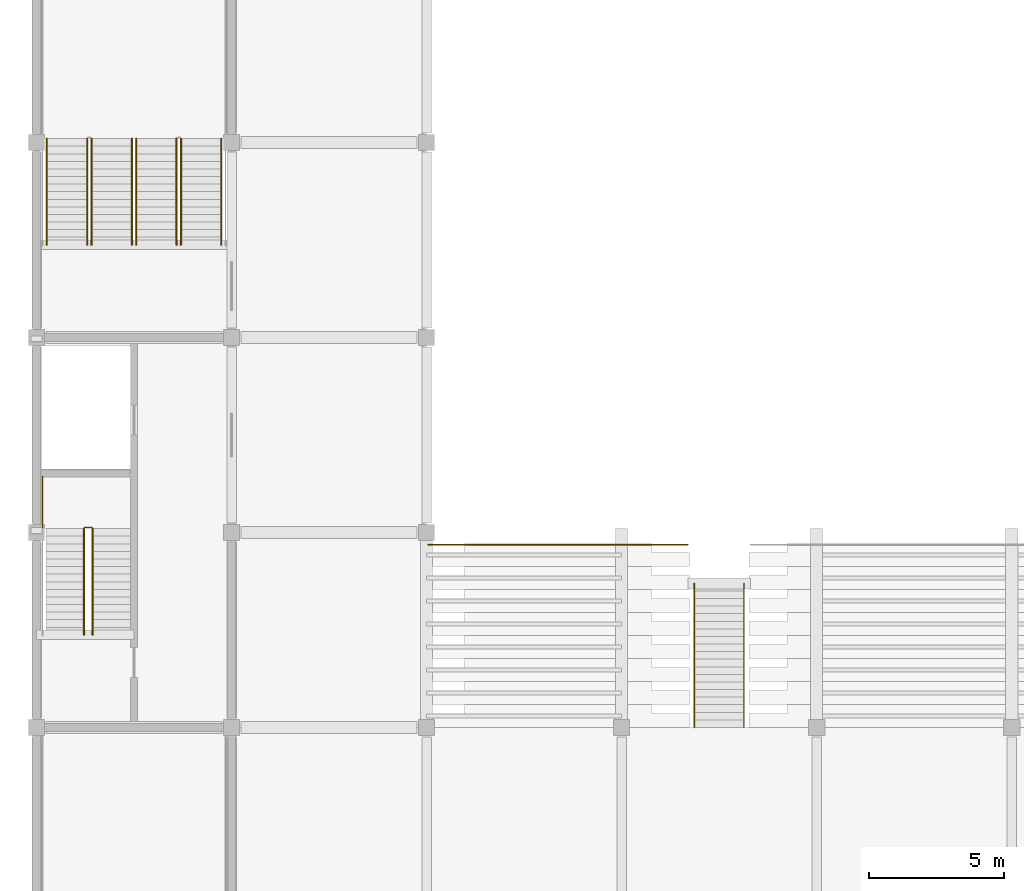
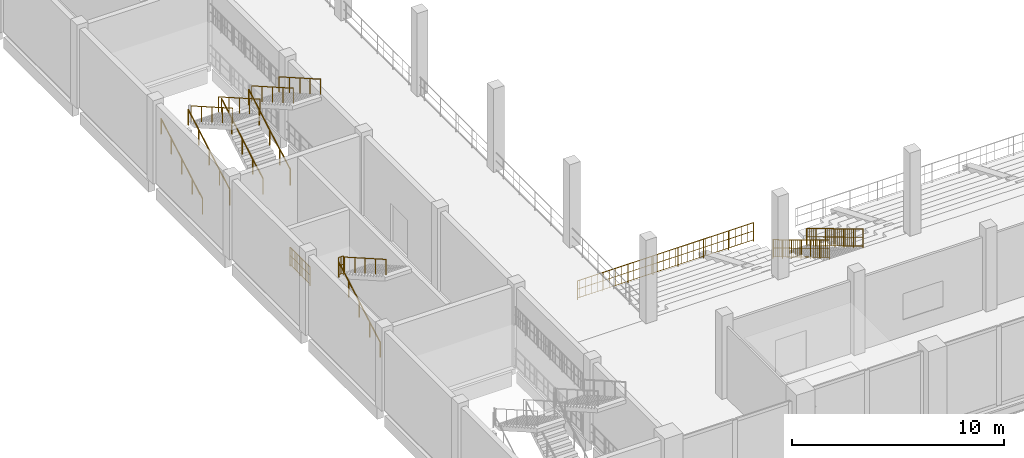
# One storey, part 81 of 99: 15 railings.
"""IFC4 building model written with IfcOpenShell, lengths in metres."""

from ifc_helpers import new_model, si_unit, direction, frame, origin, origin_2d, place, context, subcontext, project, spatial, circle, extrude, material, type_object, element, save


model = new_model("IFC4")

# Units and contexts
model_context = context("Model", 3, precision=1e-05, world=origin(), true_north=direction((0.0, 1.0)))
body_context = subcontext(model_context, "Body", "Model", "MODEL_VIEW")
ifc_project = project(units=[si_unit("LENGTHUNIT", "METRE"), si_unit("AREAUNIT", "SQUARE_METRE"), si_unit("VOLUMEUNIT", "CUBIC_METRE"), si_unit("PLANEANGLEUNIT", "RADIAN"), si_unit("MASSUNIT", "GRAM", prefix="KILO")], contexts=[model_context])

# Site, building, storey
site_placement = place(None, origin())
site = spatial("IfcSite", under=ifc_project, at=site_placement, CompositionType="ELEMENT")
building_placement = place(site_placement, origin())
building = spatial("IfcBuilding", under=site, at=building_placement, Name="Vesperath Aquatics Centre", CompositionType="ELEMENT")
storey_placement = place(building_placement, frame((0.0, 0.0, 5.39990234375)))
storey = spatial("IfcBuildingStorey", under=building, at=storey_placement, Name="L01", CompositionType="ELEMENT", Elevation=5.39990234375)

# Railings
ifc_material_1 = material(Name="Powder-coated galvanized steel safety guard", Category="steel")
railing_type_1 = type_object("IfcRailingType", Name="RL-GRD01", PredefinedType="GUARDRAIL", material=ifc_material_1)
railing_1_placement = place(storey_placement, frame((1.780029296875, 36.179931640625, 2.400146484375)))
element("IfcRailing", 1, at=railing_1_placement, inside=storey, type_object=railing_type_1, Name="Stair ST1 Half-Landing Slot Guard GR02 L01", PredefinedType="GUARDRAIL", context=body_context, shape_type="SweptSolid", body=[
    extrude(circle(Radius=0.02392578125, at=origin_2d()), frame((0.0, 0.0, 1.0859375), z_axis=(1.0, 0.0, 0.0), x_axis=(0.0, 1.0, 0.0)), (0.0, 0.0, 1.0), 0.260009765625),
    extrude(circle(Radius=0.01611328125, at=origin_2d()), frame((0.0, 0.0, 0.10009765625), z_axis=(1.0, 0.0, 0.0), x_axis=(0.0, 1.0, 0.0)), (0.0, 0.0, 1.0), 0.260009765625),
    extrude(circle(Radius=0.01611328125, at=origin_2d()), frame((0.0, 0.0, 0.610595703125), z_axis=(1.0, 0.0, 0.0), x_axis=(0.0, 1.0, 0.0)), (0.0, 0.0, 1.0), 0.260009765625),
    extrude(circle(Radius=0.009033203125, at=origin_2d()), frame((0.086669921875, 0.0, 0.10009765625)), (0.0, 0.0, 1.0), 0.9619140625),
    extrude(circle(Radius=0.009033203125, at=origin_2d()), frame((0.17333984375, 0.0, 0.10009765625)), (0.0, 0.0, 1.0), 0.9619140625),
    extrude(circle(Radius=0.02197265625, at=origin_2d()), origin(), (0.0, 0.0, 1.0), 1.0859375),
    extrude(circle(Radius=0.02197265625, at=origin_2d()), frame((0.260009765625, 0.0, 0.0)), (0.0, 0.0, 1.0), 1.0859375),
])
railing_2_placement = place(storey_placement, frame((0.219970703125, 36.179931640625, 2.400146484375)))
element("IfcRailing", 2, at=railing_2_placement, inside=storey, type_object=railing_type_1, Name="Stair ST1 Half-Landing Wall Guard GR02 L01", PredefinedType="GUARDRAIL", context=body_context, shape_type="SweptSolid", body=[
    extrude(circle(Radius=0.02392578125, at=origin_2d()), frame((0.0, 0.0, 1.0859375), z_axis=(0.0, 1.0, 0.0), x_axis=(-1.0, 0.0, 0.0)), (0.0, 0.0, 1.0), 1.880126953125),
    extrude(circle(Radius=0.01611328125, at=origin_2d()), frame((0.0, 0.0, 0.10009765625), z_axis=(0.0, 1.0, 0.0), x_axis=(-1.0, 0.0, 0.0)), (0.0, 0.0, 1.0), 1.880126953125),
    extrude(circle(Radius=0.01611328125, at=origin_2d()), frame((0.0, 0.0, 0.610595703125), z_axis=(0.0, 1.0, 0.0), x_axis=(-1.0, 0.0, 0.0)), (0.0, 0.0, 1.0), 1.880126953125),
    extrude(circle(Radius=0.009033203125, at=origin_2d()), frame((0.0, 0.1044921875, 0.10009765625)), (0.0, 0.0, 1.0), 0.9619140625),
    extrude(circle(Radius=0.009033203125, at=origin_2d()), frame((0.0, 0.208984375, 0.10009765625)), (0.0, 0.0, 1.0), 0.9619140625),
    extrude(circle(Radius=0.009033203125, at=origin_2d()), frame((0.0, 0.3134765625, 0.10009765625)), (0.0, 0.0, 1.0), 0.9619140625),
    extrude(circle(Radius=0.009033203125, at=origin_2d()), frame((0.0, 0.417724609375, 0.10009765625)), (0.0, 0.0, 1.0), 0.9619140625),
    extrude(circle(Radius=0.009033203125, at=origin_2d()), frame((0.0, 0.522216796875, 0.10009765625)), (0.0, 0.0, 1.0), 0.9619140625),
    extrude(circle(Radius=0.009033203125, at=origin_2d()), frame((0.0, 0.626708984375, 0.10009765625)), (0.0, 0.0, 1.0), 0.9619140625),
    extrude(circle(Radius=0.009033203125, at=origin_2d()), frame((0.0, 0.731201171875, 0.10009765625)), (0.0, 0.0, 1.0), 0.9619140625),
    extrude(circle(Radius=0.009033203125, at=origin_2d()), frame((0.0, 0.835693359375, 0.10009765625)), (0.0, 0.0, 1.0), 0.9619140625),
    extrude(circle(Radius=0.009033203125, at=origin_2d()), frame((0.0, 0.93994140625, 0.10009765625)), (0.0, 0.0, 1.0), 0.9619140625),
    extrude(circle(Radius=0.009033203125, at=origin_2d()), frame((0.0, 1.04443359375, 0.10009765625)), (0.0, 0.0, 1.0), 0.9619140625),
    extrude(circle(Radius=0.009033203125, at=origin_2d()), frame((0.0, 1.14892578125, 0.10009765625)), (0.0, 0.0, 1.0), 0.9619140625),
    extrude(circle(Radius=0.009033203125, at=origin_2d()), frame((0.0, 1.25341796875, 0.10009765625)), (0.0, 0.0, 1.0), 0.9619140625),
    extrude(circle(Radius=0.009033203125, at=origin_2d()), frame((0.0, 1.35791015625, 0.10009765625)), (0.0, 0.0, 1.0), 0.9619140625),
    extrude(circle(Radius=0.009033203125, at=origin_2d()), frame((0.0, 1.46240234375, 0.10009765625)), (0.0, 0.0, 1.0), 0.9619140625),
    extrude(circle(Radius=0.009033203125, at=origin_2d()), frame((0.0, 1.56689453125, 0.10009765625)), (0.0, 0.0, 1.0), 0.9619140625),
    extrude(circle(Radius=0.009033203125, at=origin_2d()), frame((0.0, 1.671142578125, 0.10009765625)), (0.0, 0.0, 1.0), 0.9619140625),
    extrude(circle(Radius=0.009033203125, at=origin_2d()), frame((0.0, 1.775634765625, 0.10009765625)), (0.0, 0.0, 1.0), 0.9619140625),
    extrude(circle(Radius=0.02197265625, at=origin_2d()), origin(), (0.0, 0.0, 1.0), 1.0859375),
    extrude(circle(Radius=0.02197265625, at=origin_2d()), frame((0.0, 0.93994140625, 0.0)), (0.0, 0.0, 1.0), 1.0859375),
    extrude(circle(Radius=0.02197265625, at=origin_2d()), frame((0.0, 1.880126953125, 0.0)), (0.0, 0.0, 1.0), 1.0859375),
])
railing_3_placement = place(storey_placement, frame((24.280029296875, 34.1201171875, -3.199951171875)))
element("IfcRailing", 3, at=railing_3_placement, inside=storey, type_object=railing_type_1, Name="Vomitory VOM-01 Guardrail GR02-W", PredefinedType="GUARDRAIL", context=body_context, shape_type="SweptSolid", body=[
    extrude(circle(Radius=0.02392578125, at=origin_2d()), frame((0.0, 0.0, 1.0859375), z_axis=(0.0, -0.85693029826, 0.515432307801), x_axis=(1.0, 0.0, 0.0)), (0.0, 0.0, 1.0), 6.208251953125),
    extrude(circle(Radius=0.01611328125, at=origin_2d()), frame((0.0, 0.0, 0.10009765625), z_axis=(0.0, -0.85693029826, 0.515432307801), x_axis=(1.0, 0.0, 0.0)), (0.0, 0.0, 1.0), 6.208251953125),
    extrude(circle(Radius=0.01611328125, at=origin_2d()), frame((0.0, 0.0, 0.610595703125), z_axis=(0.0, -0.85693029826, 0.515432307801), x_axis=(1.0, 0.0, 0.0)), (0.0, 0.0, 1.0), 6.208251953125),
    extrude(circle(Radius=0.009033203125, at=origin_2d()), frame((0.0, -0.09326171875, 0.15625)), (0.0, 0.0, 1.0), 0.9619140625),
    extrude(circle(Radius=0.009033203125, at=origin_2d()), frame((0.0, -0.280029296875, 0.2685546875)), (0.0, 0.0, 1.0), 0.9619140625),
    extrude(circle(Radius=0.009033203125, at=origin_2d()), frame((0.0, -0.466552734375, 0.380859375)), (0.0, 0.0, 1.0), 0.9619140625),
    extrude(circle(Radius=0.009033203125, at=origin_2d()), frame((0.0, -0.6533203125, 0.4931640625)), (0.0, 0.0, 1.0), 0.9619140625),
    extrude(circle(Radius=0.009033203125, at=origin_2d()), frame((0.0, -0.840087890625, 0.60546875)), (0.0, 0.0, 1.0), 0.9619140625),
    extrude(circle(Radius=0.009033203125, at=origin_2d()), frame((0.0, -1.026611328125, 0.717529296875)), (0.0, 0.0, 1.0), 0.9619140625),
    extrude(circle(Radius=0.009033203125, at=origin_2d()), frame((0.0, -1.21337890625, 0.829833984375)), (0.0, 0.0, 1.0), 0.9619140625),
    extrude(circle(Radius=0.009033203125, at=origin_2d()), frame((0.0, -1.39990234375, 0.942138671875)), (0.0, 0.0, 1.0), 0.9619140625),
    extrude(circle(Radius=0.009033203125, at=origin_2d()), frame((0.0, -1.586669921875, 1.054443359375)), (0.0, 0.0, 1.0), 0.9619140625),
    extrude(circle(Radius=0.009033203125, at=origin_2d()), frame((0.0, -1.7734375, 1.166748046875)), (0.0, 0.0, 1.0), 0.9619140625),
    extrude(circle(Radius=0.009033203125, at=origin_2d()), frame((0.0, -1.9599609375, 1.279052734375)), (0.0, 0.0, 1.0), 0.9619140625),
    extrude(circle(Radius=0.009033203125, at=origin_2d()), frame((0.0, -2.146728515625, 1.391357421875)), (0.0, 0.0, 1.0), 0.9619140625),
    extrude(circle(Radius=0.009033203125, at=origin_2d()), frame((0.0, -2.333251953125, 1.503662109375)), (0.0, 0.0, 1.0), 0.9619140625),
    extrude(circle(Radius=0.009033203125, at=origin_2d()), frame((0.0, -2.52001953125, 1.615966796875)), (0.0, 0.0, 1.0), 0.9619140625),
    extrude(circle(Radius=0.009033203125, at=origin_2d()), frame((0.0, -2.706787109375, 1.72802734375)), (0.0, 0.0, 1.0), 0.9619140625),
    extrude(circle(Radius=0.009033203125, at=origin_2d()), frame((0.0, -2.893310546875, 1.84033203125)), (0.0, 0.0, 1.0), 0.9619140625),
    extrude(circle(Radius=0.009033203125, at=origin_2d()), frame((0.0, -3.080078125, 1.95263671875)), (0.0, 0.0, 1.0), 0.9619140625),
    extrude(circle(Radius=0.009033203125, at=origin_2d()), frame((0.0, -3.2666015625, 2.06494140625)), (0.0, 0.0, 1.0), 0.9619140625),
    extrude(circle(Radius=0.009033203125, at=origin_2d()), frame((0.0, -3.453369140625, 2.17724609375)), (0.0, 0.0, 1.0), 0.9619140625),
    extrude(circle(Radius=0.009033203125, at=origin_2d()), frame((0.0, -3.64013671875, 2.28955078125)), (0.0, 0.0, 1.0), 0.9619140625),
    extrude(circle(Radius=0.009033203125, at=origin_2d()), frame((0.0, -3.82666015625, 2.40185546875)), (0.0, 0.0, 1.0), 0.9619140625),
    extrude(circle(Radius=0.009033203125, at=origin_2d()), frame((0.0, -4.013427734375, 2.51416015625)), (0.0, 0.0, 1.0), 0.9619140625),
    extrude(circle(Radius=0.009033203125, at=origin_2d()), frame((0.0, -4.199951171875, 2.62646484375)), (0.0, 0.0, 1.0), 0.9619140625),
    extrude(circle(Radius=0.009033203125, at=origin_2d()), frame((0.0, -4.38671875, 2.73876953125)), (0.0, 0.0, 1.0), 0.9619140625),
    extrude(circle(Radius=0.009033203125, at=origin_2d()), frame((0.0, -4.573486328125, 2.850830078125)), (0.0, 0.0, 1.0), 0.9619140625),
    extrude(circle(Radius=0.009033203125, at=origin_2d()), frame((0.0, -4.760009765625, 2.963134765625)), (0.0, 0.0, 1.0), 0.9619140625),
    extrude(circle(Radius=0.009033203125, at=origin_2d()), frame((0.0, -4.94677734375, 3.075439453125)), (0.0, 0.0, 1.0), 0.9619140625),
    extrude(circle(Radius=0.009033203125, at=origin_2d()), frame((0.0, -5.13330078125, 3.187744140625)), (0.0, 0.0, 1.0), 0.9619140625),
    extrude(circle(Radius=0.02197265625, at=origin_2d()), origin(), (0.0, 0.0, 1.0), 1.0859375),
    extrude(circle(Radius=0.02197265625, at=origin_2d()), frame((0.0, -0.88671875, 0.533203125)), (0.0, 0.0, 1.0), 1.0859375),
    extrude(circle(Radius=0.02197265625, at=origin_2d()), frame((0.0, -1.7734375, 1.066650390625)), (0.0, 0.0, 1.0), 1.0859375),
    extrude(circle(Radius=0.02197265625, at=origin_2d()), frame((0.0, -2.66015625, 1.60009765625)), (0.0, 0.0, 1.0), 1.0859375),
    extrude(circle(Radius=0.02197265625, at=origin_2d()), frame((0.0, -3.546630859375, 2.13330078125)), (0.0, 0.0, 1.0), 1.0859375),
    extrude(circle(Radius=0.02197265625, at=origin_2d()), frame((0.0, -4.433349609375, 2.66650390625)), (0.0, 0.0, 1.0), 1.0859375),
    extrude(circle(Radius=0.02197265625, at=origin_2d()), frame((0.0, -5.320068359375, 3.199951171875)), (0.0, 0.0, 1.0), 1.0859375),
])
railing_4_placement = place(storey_placement, frame((26.1201171875, 34.1201171875, -3.199951171875)))
element("IfcRailing", 4, at=railing_4_placement, inside=storey, type_object=railing_type_1, Name="Vomitory VOM-01 Guardrail GR02-E", PredefinedType="GUARDRAIL", context=body_context, shape_type="SweptSolid", body=[
    extrude(circle(Radius=0.02392578125, at=origin_2d()), frame((0.0, 0.0, 1.0859375), z_axis=(0.0, -0.85693029826, 0.515432307801), x_axis=(1.0, 0.0, 0.0)), (0.0, 0.0, 1.0), 6.208251953125),
    extrude(circle(Radius=0.01611328125, at=origin_2d()), frame((0.0, 0.0, 0.10009765625), z_axis=(0.0, -0.85693029826, 0.515432307801), x_axis=(1.0, 0.0, 0.0)), (0.0, 0.0, 1.0), 6.208251953125),
    extrude(circle(Radius=0.01611328125, at=origin_2d()), frame((0.0, 0.0, 0.610595703125), z_axis=(0.0, -0.85693029826, 0.515432307801), x_axis=(1.0, 0.0, 0.0)), (0.0, 0.0, 1.0), 6.208251953125),
    extrude(circle(Radius=0.009033203125, at=origin_2d()), frame((0.0, -0.09326171875, 0.15625)), (0.0, 0.0, 1.0), 0.9619140625),
    extrude(circle(Radius=0.009033203125, at=origin_2d()), frame((0.0, -0.280029296875, 0.2685546875)), (0.0, 0.0, 1.0), 0.9619140625),
    extrude(circle(Radius=0.009033203125, at=origin_2d()), frame((0.0, -0.466552734375, 0.380859375)), (0.0, 0.0, 1.0), 0.9619140625),
    extrude(circle(Radius=0.009033203125, at=origin_2d()), frame((0.0, -0.6533203125, 0.4931640625)), (0.0, 0.0, 1.0), 0.9619140625),
    extrude(circle(Radius=0.009033203125, at=origin_2d()), frame((0.0, -0.840087890625, 0.60546875)), (0.0, 0.0, 1.0), 0.9619140625),
    extrude(circle(Radius=0.009033203125, at=origin_2d()), frame((0.0, -1.026611328125, 0.717529296875)), (0.0, 0.0, 1.0), 0.9619140625),
    extrude(circle(Radius=0.009033203125, at=origin_2d()), frame((0.0, -1.21337890625, 0.829833984375)), (0.0, 0.0, 1.0), 0.9619140625),
    extrude(circle(Radius=0.009033203125, at=origin_2d()), frame((0.0, -1.39990234375, 0.942138671875)), (0.0, 0.0, 1.0), 0.9619140625),
    extrude(circle(Radius=0.009033203125, at=origin_2d()), frame((0.0, -1.586669921875, 1.054443359375)), (0.0, 0.0, 1.0), 0.9619140625),
    extrude(circle(Radius=0.009033203125, at=origin_2d()), frame((0.0, -1.7734375, 1.166748046875)), (0.0, 0.0, 1.0), 0.9619140625),
    extrude(circle(Radius=0.009033203125, at=origin_2d()), frame((0.0, -1.9599609375, 1.279052734375)), (0.0, 0.0, 1.0), 0.9619140625),
    extrude(circle(Radius=0.009033203125, at=origin_2d()), frame((0.0, -2.146728515625, 1.391357421875)), (0.0, 0.0, 1.0), 0.9619140625),
    extrude(circle(Radius=0.009033203125, at=origin_2d()), frame((0.0, -2.333251953125, 1.503662109375)), (0.0, 0.0, 1.0), 0.9619140625),
    extrude(circle(Radius=0.009033203125, at=origin_2d()), frame((0.0, -2.52001953125, 1.615966796875)), (0.0, 0.0, 1.0), 0.9619140625),
    extrude(circle(Radius=0.009033203125, at=origin_2d()), frame((0.0, -2.706787109375, 1.72802734375)), (0.0, 0.0, 1.0), 0.9619140625),
    extrude(circle(Radius=0.009033203125, at=origin_2d()), frame((0.0, -2.893310546875, 1.84033203125)), (0.0, 0.0, 1.0), 0.9619140625),
    extrude(circle(Radius=0.009033203125, at=origin_2d()), frame((0.0, -3.080078125, 1.95263671875)), (0.0, 0.0, 1.0), 0.9619140625),
    extrude(circle(Radius=0.009033203125, at=origin_2d()), frame((0.0, -3.2666015625, 2.06494140625)), (0.0, 0.0, 1.0), 0.9619140625),
    extrude(circle(Radius=0.009033203125, at=origin_2d()), frame((0.0, -3.453369140625, 2.17724609375)), (0.0, 0.0, 1.0), 0.9619140625),
    extrude(circle(Radius=0.009033203125, at=origin_2d()), frame((0.0, -3.64013671875, 2.28955078125)), (0.0, 0.0, 1.0), 0.9619140625),
    extrude(circle(Radius=0.009033203125, at=origin_2d()), frame((0.0, -3.82666015625, 2.40185546875)), (0.0, 0.0, 1.0), 0.9619140625),
    extrude(circle(Radius=0.009033203125, at=origin_2d()), frame((0.0, -4.013427734375, 2.51416015625)), (0.0, 0.0, 1.0), 0.9619140625),
    extrude(circle(Radius=0.009033203125, at=origin_2d()), frame((0.0, -4.199951171875, 2.62646484375)), (0.0, 0.0, 1.0), 0.9619140625),
    extrude(circle(Radius=0.009033203125, at=origin_2d()), frame((0.0, -4.38671875, 2.73876953125)), (0.0, 0.0, 1.0), 0.9619140625),
    extrude(circle(Radius=0.009033203125, at=origin_2d()), frame((0.0, -4.573486328125, 2.850830078125)), (0.0, 0.0, 1.0), 0.9619140625),
    extrude(circle(Radius=0.009033203125, at=origin_2d()), frame((0.0, -4.760009765625, 2.963134765625)), (0.0, 0.0, 1.0), 0.9619140625),
    extrude(circle(Radius=0.009033203125, at=origin_2d()), frame((0.0, -4.94677734375, 3.075439453125)), (0.0, 0.0, 1.0), 0.9619140625),
    extrude(circle(Radius=0.009033203125, at=origin_2d()), frame((0.0, -5.13330078125, 3.187744140625)), (0.0, 0.0, 1.0), 0.9619140625),
    extrude(circle(Radius=0.02197265625, at=origin_2d()), origin(), (0.0, 0.0, 1.0), 1.0859375),
    extrude(circle(Radius=0.02197265625, at=origin_2d()), frame((0.0, -0.88671875, 0.533203125)), (0.0, 0.0, 1.0), 1.0859375),
    extrude(circle(Radius=0.02197265625, at=origin_2d()), frame((0.0, -1.7734375, 1.066650390625)), (0.0, 0.0, 1.0), 1.0859375),
    extrude(circle(Radius=0.02197265625, at=origin_2d()), frame((0.0, -2.66015625, 1.60009765625)), (0.0, 0.0, 1.0), 1.0859375),
    extrude(circle(Radius=0.02197265625, at=origin_2d()), frame((0.0, -3.546630859375, 2.13330078125)), (0.0, 0.0, 1.0), 1.0859375),
    extrude(circle(Radius=0.02197265625, at=origin_2d()), frame((0.0, -4.433349609375, 2.66650390625)), (0.0, 0.0, 1.0), 1.0859375),
    extrude(circle(Radius=0.02197265625, at=origin_2d()), frame((0.0, -5.320068359375, 3.199951171875)), (0.0, 0.0, 1.0), 1.0859375),
])
railing_5_placement = place(storey_placement, frame((14.449951171875, 35.550048828125, -3.0)))
element("IfcRailing", 5, at=railing_5_placement, inside=storey, type_object=railing_type_1, Name="Safety Guardrail GR02 GRD_L01_BOWL_S1", PredefinedType="GUARDRAIL", context=body_context, shape_type="SweptSolid", body=[
    extrude(circle(Radius=0.02392578125, at=origin_2d()), frame((0.0, 0.0, 1.0859375), z_axis=(1.0, 0.0, 0.0), x_axis=(0.0, 1.0, 0.0)), (0.0, 0.0, 1.0), 9.60009765625),
    extrude(circle(Radius=0.01611328125, at=origin_2d()), frame((0.0, 0.0, 0.10009765625), z_axis=(1.0, 0.0, 0.0), x_axis=(0.0, 1.0, 0.0)), (0.0, 0.0, 1.0), 9.60009765625),
    extrude(circle(Radius=0.01611328125, at=origin_2d()), frame((0.0, 0.0, 0.610595703125), z_axis=(1.0, 0.0, 0.0), x_axis=(0.0, 1.0, 0.0)), (0.0, 0.0, 1.0), 9.60009765625),
    extrude(circle(Radius=0.009033203125, at=origin_2d()), frame((0.109130859375, 0.0, 0.10009765625)), (0.0, 0.0, 1.0), 0.9619140625),
    extrude(circle(Radius=0.009033203125, at=origin_2d()), frame((0.436279296875, 0.0, 0.10009765625)), (0.0, 0.0, 1.0), 0.9619140625),
    extrude(circle(Radius=0.009033203125, at=origin_2d()), frame((0.763671875, 0.0, 0.10009765625)), (0.0, 0.0, 1.0), 0.9619140625),
    extrude(circle(Radius=0.009033203125, at=origin_2d()), frame((1.0908203125, 0.0, 0.10009765625)), (0.0, 0.0, 1.0), 0.9619140625),
    extrude(circle(Radius=0.009033203125, at=origin_2d()), frame((1.418212890625, 0.0, 0.10009765625)), (0.0, 0.0, 1.0), 0.9619140625),
    extrude(circle(Radius=0.009033203125, at=origin_2d()), frame((1.745361328125, 0.0, 0.10009765625)), (0.0, 0.0, 1.0), 0.9619140625),
    extrude(circle(Radius=0.009033203125, at=origin_2d()), frame((2.07275390625, 0.0, 0.10009765625)), (0.0, 0.0, 1.0), 0.9619140625),
    extrude(circle(Radius=0.009033203125, at=origin_2d()), frame((2.39990234375, 0.0, 0.10009765625)), (0.0, 0.0, 1.0), 0.9619140625),
    extrude(circle(Radius=0.009033203125, at=origin_2d()), frame((2.727294921875, 0.0, 0.10009765625)), (0.0, 0.0, 1.0), 0.9619140625),
    extrude(circle(Radius=0.009033203125, at=origin_2d()), frame((3.0546875, 0.0, 0.10009765625)), (0.0, 0.0, 1.0), 0.9619140625),
    extrude(circle(Radius=0.009033203125, at=origin_2d()), frame((3.3818359375, 0.0, 0.10009765625)), (0.0, 0.0, 1.0), 0.9619140625),
    extrude(circle(Radius=0.009033203125, at=origin_2d()), frame((3.709228515625, 0.0, 0.10009765625)), (0.0, 0.0, 1.0), 0.9619140625),
    extrude(circle(Radius=0.009033203125, at=origin_2d()), frame((4.036376953125, 0.0, 0.10009765625)), (0.0, 0.0, 1.0), 0.9619140625),
    extrude(circle(Radius=0.009033203125, at=origin_2d()), frame((4.36376953125, 0.0, 0.10009765625)), (0.0, 0.0, 1.0), 0.9619140625),
    extrude(circle(Radius=0.009033203125, at=origin_2d()), frame((4.69091796875, 0.0, 0.10009765625)), (0.0, 0.0, 1.0), 0.9619140625),
    extrude(circle(Radius=0.009033203125, at=origin_2d()), frame((5.018310546875, 0.0, 0.10009765625)), (0.0, 0.0, 1.0), 0.9619140625),
    extrude(circle(Radius=0.009033203125, at=origin_2d()), frame((5.345458984375, 0.0, 0.10009765625)), (0.0, 0.0, 1.0), 0.9619140625),
    extrude(circle(Radius=0.009033203125, at=origin_2d()), frame((5.6728515625, 0.0, 0.10009765625)), (0.0, 0.0, 1.0), 0.9619140625),
    extrude(circle(Radius=0.009033203125, at=origin_2d()), frame((6.0, 0.0, 0.10009765625)), (0.0, 0.0, 1.0), 0.9619140625),
    extrude(circle(Radius=0.009033203125, at=origin_2d()), frame((6.327392578125, 0.0, 0.10009765625)), (0.0, 0.0, 1.0), 0.9619140625),
    extrude(circle(Radius=0.009033203125, at=origin_2d()), frame((6.654541015625, 0.0, 0.10009765625)), (0.0, 0.0, 1.0), 0.9619140625),
    extrude(circle(Radius=0.009033203125, at=origin_2d()), frame((6.98193359375, 0.0, 0.10009765625)), (0.0, 0.0, 1.0), 0.9619140625),
    extrude(circle(Radius=0.009033203125, at=origin_2d()), frame((7.30908203125, 0.0, 0.10009765625)), (0.0, 0.0, 1.0), 0.9619140625),
    extrude(circle(Radius=0.009033203125, at=origin_2d()), frame((7.636474609375, 0.0, 0.10009765625)), (0.0, 0.0, 1.0), 0.9619140625),
    extrude(circle(Radius=0.009033203125, at=origin_2d()), frame((7.963623046875, 0.0, 0.10009765625)), (0.0, 0.0, 1.0), 0.9619140625),
    extrude(circle(Radius=0.009033203125, at=origin_2d()), frame((8.291015625, 0.0, 0.10009765625)), (0.0, 0.0, 1.0), 0.9619140625),
    extrude(circle(Radius=0.009033203125, at=origin_2d()), frame((8.6181640625, 0.0, 0.10009765625)), (0.0, 0.0, 1.0), 0.9619140625),
    extrude(circle(Radius=0.009033203125, at=origin_2d()), frame((8.945556640625, 0.0, 0.10009765625)), (0.0, 0.0, 1.0), 0.9619140625),
    extrude(circle(Radius=0.009033203125, at=origin_2d()), frame((9.272705078125, 0.0, 0.10009765625)), (0.0, 0.0, 1.0), 0.9619140625),
    extrude(circle(Radius=0.02197265625, at=origin_2d()), origin(), (0.0, 0.0, 1.0), 1.0859375),
    extrude(circle(Radius=0.02197265625, at=origin_2d()), frame((1.371337890625, 0.0, 0.0)), (0.0, 0.0, 1.0), 1.0859375),
    extrude(circle(Radius=0.02197265625, at=origin_2d()), frame((2.742919921875, 0.0, 0.0)), (0.0, 0.0, 1.0), 1.0859375),
    extrude(circle(Radius=0.02197265625, at=origin_2d()), frame((4.1142578125, 0.0, 0.0)), (0.0, 0.0, 1.0), 1.0859375),
    extrude(circle(Radius=0.02197265625, at=origin_2d()), frame((5.48583984375, 0.0, 0.0)), (0.0, 0.0, 1.0), 1.0859375),
    extrude(circle(Radius=0.02197265625, at=origin_2d()), frame((6.857177734375, 0.0, 0.0)), (0.0, 0.0, 1.0), 1.0859375),
    extrude(circle(Radius=0.02197265625, at=origin_2d()), frame((8.228759765625, 0.0, 0.0)), (0.0, 0.0, 1.0), 1.0859375),
    extrude(circle(Radius=0.02197265625, at=origin_2d()), frame((9.60009765625, 0.0, 0.0)), (0.0, 0.0, 1.0), 1.0859375),
])
ifc_material_2 = material(Name="Brushed stainless steel tubular handrail", Category="steel")
railing_type_2 = type_object("IfcRailingType", Name="RL-HND01", PredefinedType="HANDRAIL", material=ifc_material_2)
railing_6_placement = place(storey_placement, frame((1.75, 32.219970703125, 0.16015625)))
element("IfcRailing", 6, at=railing_6_placement, inside=storey, type_object=railing_type_2, Name="Stair ST1 Flight 1 Handrail HR01 L01", PredefinedType="HANDRAIL", context=body_context, shape_type="SweptSolid", body=[
    extrude(circle(Radius=0.02392578125, at=origin_2d()), frame((0.0, 0.0, 0.8759765625), z_axis=(0.0, 0.868239814368, 0.496144761885), x_axis=(-1.0, 0.0, 0.0)), (0.0, 0.0, 1.0), 4.514892578125),
    extrude(circle(Radius=0.02197265625, at=origin_2d()), origin(), (0.0, 0.0, 1.0), 0.8759765625),
    extrude(circle(Radius=0.02197265625, at=origin_2d()), frame((0.0, 0.97998046875, 0.56005859375)), (0.0, 0.0, 1.0), 0.8759765625),
    extrude(circle(Radius=0.02197265625, at=origin_2d()), frame((0.0, 1.9599609375, 1.1201171875)), (0.0, 0.0, 1.0), 0.8759765625),
    extrude(circle(Radius=0.02197265625, at=origin_2d()), frame((0.0, 2.93994140625, 1.679931640625)), (0.0, 0.0, 1.0), 0.8759765625),
    extrude(circle(Radius=0.02197265625, at=origin_2d()), frame((0.0, 3.919921875, 2.239990234375)), (0.0, 0.0, 1.0), 0.8759765625),
])
railing_7_placement = place(storey_placement, frame((2.070068359375, 36.139892578125, 2.56005859375)))
element("IfcRailing", 7, at=railing_7_placement, inside=storey, type_object=railing_type_2, Name="Stair ST1 Flight 2 Handrail HR01 L01", PredefinedType="HANDRAIL", context=body_context, shape_type="SweptSolid", body=[
    extrude(circle(Radius=0.02392578125, at=origin_2d()), frame((0.0, 0.0, 0.8759765625), z_axis=(0.0, -0.868239814368, 0.496144761885), x_axis=(1.0, 0.0, 0.0)), (0.0, 0.0, 1.0), 4.514892578125),
    extrude(circle(Radius=0.02197265625, at=origin_2d()), origin(), (0.0, 0.0, 1.0), 0.8759765625),
    extrude(circle(Radius=0.02197265625, at=origin_2d()), frame((0.0, -0.97998046875, 0.56005859375)), (0.0, 0.0, 1.0), 0.8759765625),
    extrude(circle(Radius=0.02197265625, at=origin_2d()), frame((0.0, -1.9599609375, 1.1201171875)), (0.0, 0.0, 1.0), 0.8759765625),
    extrude(circle(Radius=0.02197265625, at=origin_2d()), frame((0.0, -2.93994140625, 1.679931640625)), (0.0, 0.0, 1.0), 0.8759765625),
    extrude(circle(Radius=0.02197265625, at=origin_2d()), frame((0.0, -3.919921875, 2.239990234375)), (0.0, 0.0, 1.0), 0.8759765625),
])
railing_8_placement = place(storey_placement, frame((1.8701171875, 46.6201171875, 0.16015625)))
element("IfcRailing", 8, at=railing_8_placement, inside=storey, type_object=railing_type_2, Name="Stair ST11A Flight 1 Handrail HR01 L01", PredefinedType="HANDRAIL", context=body_context, shape_type="SweptSolid", body=[
    extrude(circle(Radius=0.02392578125, at=origin_2d()), frame((0.0, 0.0, 0.8759765625), z_axis=(0.0, 0.868239814368, 0.496144761885), x_axis=(-1.0, 0.0, 0.0)), (0.0, 0.0, 1.0), 4.514892578125),
    extrude(circle(Radius=0.02197265625, at=origin_2d()), origin(), (0.0, 0.0, 1.0), 0.8759765625),
    extrude(circle(Radius=0.02197265625, at=origin_2d()), frame((0.0, 0.97998046875, 0.56005859375)), (0.0, 0.0, 1.0), 0.8759765625),
    extrude(circle(Radius=0.02197265625, at=origin_2d()), frame((0.0, 1.9599609375, 1.1201171875)), (0.0, 0.0, 1.0), 0.8759765625),
    extrude(circle(Radius=0.02197265625, at=origin_2d()), frame((0.0, 2.93994140625, 1.679931640625)), (0.0, 0.0, 1.0), 0.8759765625),
    extrude(circle(Radius=0.02197265625, at=origin_2d()), frame((0.0, 3.919921875, 2.239990234375)), (0.0, 0.0, 1.0), 0.8759765625),
])
railing_9_placement = place(storey_placement, frame((2.030029296875, 50.5400390625, 2.56005859375)))
element("IfcRailing", 9, at=railing_9_placement, inside=storey, type_object=railing_type_2, Name="Stair ST11A Flight 2 Handrail HR01 L01", PredefinedType="HANDRAIL", context=body_context, shape_type="SweptSolid", body=[
    extrude(circle(Radius=0.02392578125, at=origin_2d()), frame((0.0, 0.0, 0.8759765625), z_axis=(0.0, -0.868239814368, 0.496144761885), x_axis=(1.0, 0.0, 0.0)), (0.0, 0.0, 1.0), 4.514892578125),
    extrude(circle(Radius=0.02197265625, at=origin_2d()), origin(), (0.0, 0.0, 1.0), 0.8759765625),
    extrude(circle(Radius=0.02197265625, at=origin_2d()), frame((0.0, -0.97998046875, 0.56005859375)), (0.0, 0.0, 1.0), 0.8759765625),
    extrude(circle(Radius=0.02197265625, at=origin_2d()), frame((0.0, -1.9599609375, 1.1201171875)), (0.0, 0.0, 1.0), 0.8759765625),
    extrude(circle(Radius=0.02197265625, at=origin_2d()), frame((0.0, -2.93994140625, 1.679931640625)), (0.0, 0.0, 1.0), 0.8759765625),
    extrude(circle(Radius=0.02197265625, at=origin_2d()), frame((0.0, -3.919921875, 2.239990234375)), (0.0, 0.0, 1.0), 0.8759765625),
])
railing_10_placement = place(storey_placement, frame((0.3798828125, 46.6201171875, 0.16015625)))
element("IfcRailing", 10, at=railing_10_placement, inside=storey, type_object=railing_type_2, Name="Stair ST11A Flight 1 Handrail HR01 L01", PredefinedType="HANDRAIL", context=body_context, shape_type="SweptSolid", body=[
    extrude(circle(Radius=0.02392578125, at=origin_2d()), frame((0.0, 0.0, 0.8759765625), z_axis=(0.0, 0.868239814368, 0.496144761885), x_axis=(-1.0, 0.0, 0.0)), (0.0, 0.0, 1.0), 4.514892578125),
    extrude(circle(Radius=0.02197265625, at=origin_2d()), origin(), (0.0, 0.0, 1.0), 0.8759765625),
    extrude(circle(Radius=0.02197265625, at=origin_2d()), frame((0.0, 0.97998046875, 0.56005859375)), (0.0, 0.0, 1.0), 0.8759765625),
    extrude(circle(Radius=0.02197265625, at=origin_2d()), frame((0.0, 1.9599609375, 1.1201171875)), (0.0, 0.0, 1.0), 0.8759765625),
    extrude(circle(Radius=0.02197265625, at=origin_2d()), frame((0.0, 2.93994140625, 1.679931640625)), (0.0, 0.0, 1.0), 0.8759765625),
    extrude(circle(Radius=0.02197265625, at=origin_2d()), frame((0.0, 3.919921875, 2.239990234375)), (0.0, 0.0, 1.0), 0.8759765625),
])
railing_11_placement = place(storey_placement, frame((3.52001953125, 50.5400390625, 2.56005859375)))
element("IfcRailing", 11, at=railing_11_placement, inside=storey, type_object=railing_type_2, Name="Stair ST11A Flight 2 Handrail HR01 L01", PredefinedType="HANDRAIL", context=body_context, shape_type="SweptSolid", body=[
    extrude(circle(Radius=0.02392578125, at=origin_2d()), frame((0.0, 0.0, 0.8759765625), z_axis=(0.0, -0.868239814368, 0.496144761885), x_axis=(1.0, 0.0, 0.0)), (0.0, 0.0, 1.0), 4.514892578125),
    extrude(circle(Radius=0.02197265625, at=origin_2d()), origin(), (0.0, 0.0, 1.0), 0.8759765625),
    extrude(circle(Radius=0.02197265625, at=origin_2d()), frame((0.0, -0.97998046875, 0.56005859375)), (0.0, 0.0, 1.0), 0.8759765625),
    extrude(circle(Radius=0.02197265625, at=origin_2d()), frame((0.0, -1.9599609375, 1.1201171875)), (0.0, 0.0, 1.0), 0.8759765625),
    extrude(circle(Radius=0.02197265625, at=origin_2d()), frame((0.0, -2.93994140625, 1.679931640625)), (0.0, 0.0, 1.0), 0.8759765625),
    extrude(circle(Radius=0.02197265625, at=origin_2d()), frame((0.0, -3.919921875, 2.239990234375)), (0.0, 0.0, 1.0), 0.8759765625),
])
railing_12_placement = place(storey_placement, frame((5.169921875, 46.6201171875, 0.16015625)))
element("IfcRailing", 12, at=railing_12_placement, inside=storey, type_object=railing_type_2, Name="Stair ST11B Flight 1 Handrail HR01 L01", PredefinedType="HANDRAIL", context=body_context, shape_type="SweptSolid", body=[
    extrude(circle(Radius=0.02392578125, at=origin_2d()), frame((0.0, 0.0, 0.8759765625), z_axis=(0.0, 0.868239814368, 0.496144761885), x_axis=(-1.0, 0.0, 0.0)), (0.0, 0.0, 1.0), 4.514892578125),
    extrude(circle(Radius=0.02197265625, at=origin_2d()), origin(), (0.0, 0.0, 1.0), 0.8759765625),
    extrude(circle(Radius=0.02197265625, at=origin_2d()), frame((0.0, 0.97998046875, 0.56005859375)), (0.0, 0.0, 1.0), 0.8759765625),
    extrude(circle(Radius=0.02197265625, at=origin_2d()), frame((0.0, 1.9599609375, 1.1201171875)), (0.0, 0.0, 1.0), 0.8759765625),
    extrude(circle(Radius=0.02197265625, at=origin_2d()), frame((0.0, 2.93994140625, 1.679931640625)), (0.0, 0.0, 1.0), 0.8759765625),
    extrude(circle(Radius=0.02197265625, at=origin_2d()), frame((0.0, 3.919921875, 2.239990234375)), (0.0, 0.0, 1.0), 0.8759765625),
])
railing_13_placement = place(storey_placement, frame((5.330078125, 50.5400390625, 2.56005859375)))
element("IfcRailing", 13, at=railing_13_placement, inside=storey, type_object=railing_type_2, Name="Stair ST11B Flight 2 Handrail HR01 L01", PredefinedType="HANDRAIL", context=body_context, shape_type="SweptSolid", body=[
    extrude(circle(Radius=0.02392578125, at=origin_2d()), frame((0.0, 0.0, 0.8759765625), z_axis=(0.0, -0.868239814368, 0.496144761885), x_axis=(1.0, 0.0, 0.0)), (0.0, 0.0, 1.0), 4.514892578125),
    extrude(circle(Radius=0.02197265625, at=origin_2d()), origin(), (0.0, 0.0, 1.0), 0.8759765625),
    extrude(circle(Radius=0.02197265625, at=origin_2d()), frame((0.0, -0.97998046875, 0.56005859375)), (0.0, 0.0, 1.0), 0.8759765625),
    extrude(circle(Radius=0.02197265625, at=origin_2d()), frame((0.0, -1.9599609375, 1.1201171875)), (0.0, 0.0, 1.0), 0.8759765625),
    extrude(circle(Radius=0.02197265625, at=origin_2d()), frame((0.0, -2.93994140625, 1.679931640625)), (0.0, 0.0, 1.0), 0.8759765625),
    extrude(circle(Radius=0.02197265625, at=origin_2d()), frame((0.0, -3.919921875, 2.239990234375)), (0.0, 0.0, 1.0), 0.8759765625),
])
railing_14_placement = place(storey_placement, frame((3.679931640625, 46.6201171875, 0.16015625)))
element("IfcRailing", 14, at=railing_14_placement, inside=storey, type_object=railing_type_2, Name="Stair ST11B Flight 1 Handrail HR01 L01", PredefinedType="HANDRAIL", context=body_context, shape_type="SweptSolid", body=[
    extrude(circle(Radius=0.02392578125, at=origin_2d()), frame((0.0, 0.0, 0.8759765625), z_axis=(0.0, 0.868239814368, 0.496144761885), x_axis=(-1.0, 0.0, 0.0)), (0.0, 0.0, 1.0), 4.514892578125),
    extrude(circle(Radius=0.02197265625, at=origin_2d()), origin(), (0.0, 0.0, 1.0), 0.8759765625),
    extrude(circle(Radius=0.02197265625, at=origin_2d()), frame((0.0, 0.97998046875, 0.56005859375)), (0.0, 0.0, 1.0), 0.8759765625),
    extrude(circle(Radius=0.02197265625, at=origin_2d()), frame((0.0, 1.9599609375, 1.1201171875)), (0.0, 0.0, 1.0), 0.8759765625),
    extrude(circle(Radius=0.02197265625, at=origin_2d()), frame((0.0, 2.93994140625, 1.679931640625)), (0.0, 0.0, 1.0), 0.8759765625),
    extrude(circle(Radius=0.02197265625, at=origin_2d()), frame((0.0, 3.919921875, 2.239990234375)), (0.0, 0.0, 1.0), 0.8759765625),
])
railing_15_placement = place(storey_placement, frame((6.820068359375, 50.5400390625, 2.56005859375)))
element("IfcRailing", 15, at=railing_15_placement, inside=storey, type_object=railing_type_2, Name="Stair ST11B Flight 2 Handrail HR01 L01", PredefinedType="HANDRAIL", context=body_context, shape_type="SweptSolid", body=[
    extrude(circle(Radius=0.02392578125, at=origin_2d()), frame((0.0, 0.0, 0.8759765625), z_axis=(0.0, -0.868239814368, 0.496144761885), x_axis=(1.0, 0.0, 0.0)), (0.0, 0.0, 1.0), 4.514892578125),
    extrude(circle(Radius=0.02197265625, at=origin_2d()), origin(), (0.0, 0.0, 1.0), 0.8759765625),
    extrude(circle(Radius=0.02197265625, at=origin_2d()), frame((0.0, -0.97998046875, 0.56005859375)), (0.0, 0.0, 1.0), 0.8759765625),
    extrude(circle(Radius=0.02197265625, at=origin_2d()), frame((0.0, -1.9599609375, 1.1201171875)), (0.0, 0.0, 1.0), 0.8759765625),
    extrude(circle(Radius=0.02197265625, at=origin_2d()), frame((0.0, -2.93994140625, 1.679931640625)), (0.0, 0.0, 1.0), 0.8759765625),
    extrude(circle(Radius=0.02197265625, at=origin_2d()), frame((0.0, -3.919921875, 2.239990234375)), (0.0, 0.0, 1.0), 0.8759765625),
])

save(model, "model.ifc")
